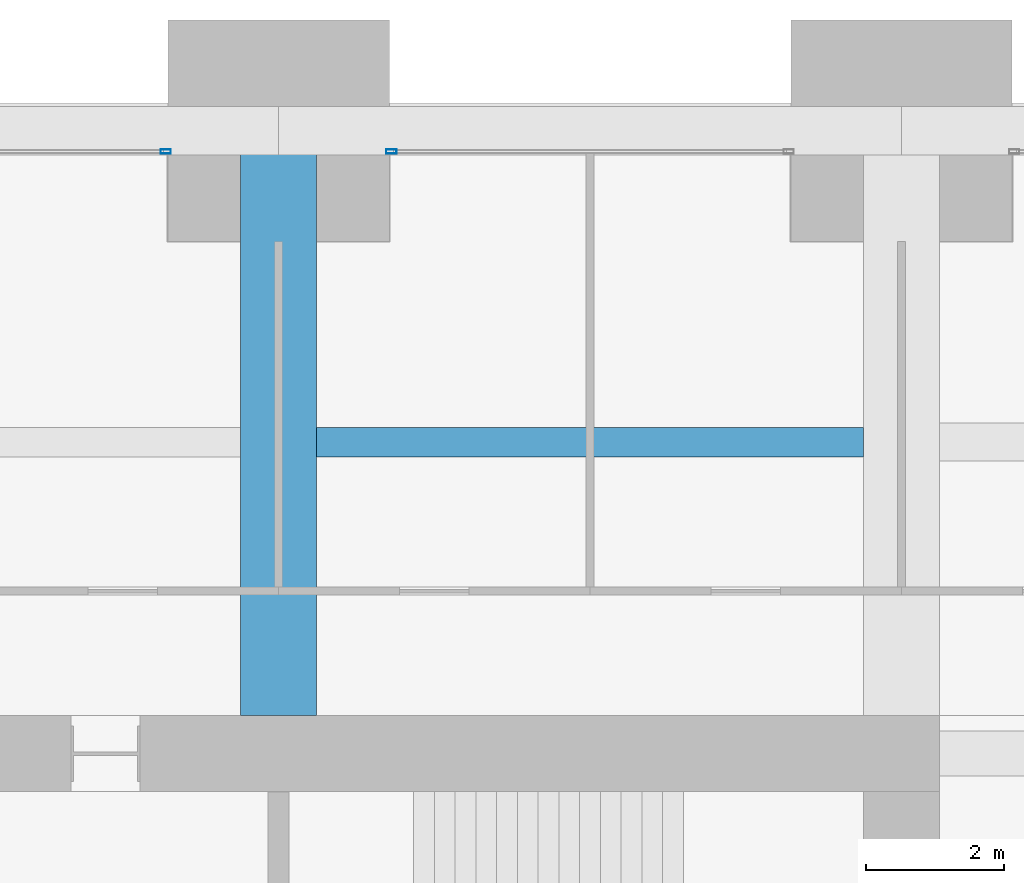
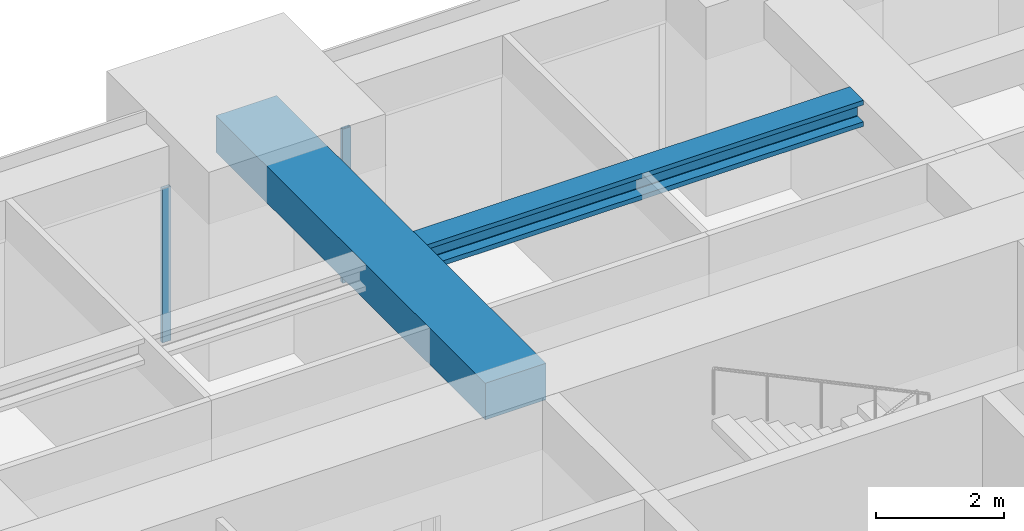
# One storey, part 30 of 41: 2 beams, 2 members, 2 elements without a shape of their own.
"""IFC4 building model written with IfcOpenShell, lengths in metres."""

from ifc_helpers import new_model, si_unit, direction, frame, origin, origin_2d, place, context, subcontext, project, spatial, rectangle, hollow_rectangle, i_section, extrude, material, material_profile, profile_set, type_object, element, aggregate, save


model = new_model("IFC4")

# Units and contexts
model_context = context("Model", 3, precision=1e-05, world=origin(), true_north=direction((0.0, 1.0)))
body_context = subcontext(model_context, "Body", "Model", "MODEL_VIEW")
ifc_project = project(units=[si_unit("LENGTHUNIT", "METRE"), si_unit("AREAUNIT", "SQUARE_METRE"), si_unit("VOLUMEUNIT", "CUBIC_METRE"), si_unit("PLANEANGLEUNIT", "RADIAN"), si_unit("MASSUNIT", "GRAM", prefix="KILO")], contexts=[model_context])

# Site, building, storey
site_placement = place(None, origin())
site = spatial("IfcSite", under=ifc_project, at=site_placement, CompositionType="ELEMENT")
building_placement = place(site_placement, origin())
building = spatial("IfcBuilding", under=site, at=building_placement, Name="Zorevar Civic Tower", CompositionType="ELEMENT")
storey_placement = place(building_placement, frame((0.0, 0.0, 89.0)))
storey = spatial("IfcBuildingStorey", under=building, at=storey_placement, Name="L21", CompositionType="ELEMENT", Elevation=89.0)

# Beam
ifc_material_1 = material(Name="Concrete C50/60", Category="concrete")
ifc_material_profile_1 = material_profile(ifc_material_1, rectangle(XDim=1.10009765625, YDim=0.699951171875, at=origin_2d()), Name="RC 1100x700")
ifc_profile_set_1 = profile_set([ifc_material_profile_1], Name="Concrete C50/60")
beam_type_1 = type_object("IfcBeamType", Name="Beam RC 1100x700", PredefinedType="BEAM", material=ifc_profile_set_1)
beam_1_placement = place(storey_placement, frame((36.0, 36.550048828125, 3.39990234375), z_axis=(0.0, 1.0, 0.0), x_axis=(-1.0, 0.0, 0.0)))
element("IfcBeam", 1, at=beam_1_placement, inside=storey, type_object=beam_type_1, Name="Girder L22", PredefinedType="BEAM", context=body_context, shape_type="SweptSolid", body=[
    extrude(rectangle(XDim=1.10009765625, YDim=0.699951171875, at=origin_2d()), origin(), (0.0, 0.0, 1.0), 8.449951171875),
])

# Curtain wall, member
ifc_material_2 = material(Name="Dark grey solar-control glass in black aluminium frame", Category="aluminium")
curtain_wall_type = type_object("IfcCurtainWallType", Name="Curtain wall CW3 mid zone", PredefinedType="NOTDEFINED", material=ifc_material_2)
curtain_wall_1_placement = place(storey_placement, origin())
curtain_wall_1 = element("IfcCurtainWall", 2, at=curtain_wall_1_placement, inside=storey, type_object=curtain_wall_type, Name="CW3 L21", PredefinedType="NOTDEFINED")
ifc_material_3 = material(Name="Aluminium, black anodised", Category="aluminium")
ifc_material_profile_2 = material_profile(ifc_material_3, hollow_rectangle(XDim=0.06005859375, YDim=0.14990234375, WallThickness=0.00390625, at=origin_2d()), Name="AL 150x60x4")
ifc_profile_set_2 = profile_set([ifc_material_profile_2], Name="Aluminium, black anodised")
member_type = type_object("IfcMemberType", Name="CW3 mullion AL 150x60x4", PredefinedType="MULLION", material=ifc_profile_set_2)
member_1_placement = place(storey_placement, frame((34.3701171875, 44.699951171875, 0.0), z_axis=(0.0, 0.0, 1.0), x_axis=(0.0, 1.0, 0.0)))
member_1 = element("IfcMember", 3, at=member_1_placement, type_object=member_type, Name="CW3 mullion 2", PredefinedType="MULLION", context=body_context, shape_type="SweptSolid", body=[
    extrude(hollow_rectangle(XDim=0.06005859375, YDim=0.14990234375, WallThickness=0.00390625, at=origin_2d()), origin(), (0.0, 0.0, 1.0), 2.949951171875),
])
aggregate(curtain_wall_1, [member_1])

curtain_wall_2_placement = place(storey_placement, origin())
curtain_wall_2 = element("IfcCurtainWall", 4, at=curtain_wall_2_placement, inside=storey, type_object=curtain_wall_type, Name="CW3 L21", PredefinedType="NOTDEFINED")
member_2_placement = place(storey_placement, frame((37.6298828125, 44.699951171875, 0.0), z_axis=(0.0, 0.0, 1.0), x_axis=(0.0, 1.0, 0.0)))
member_2 = element("IfcMember", 5, at=member_2_placement, type_object=member_type, Name="CW3 mullion 1", PredefinedType="MULLION", context=body_context, shape_type="SweptSolid", body=[
    extrude(hollow_rectangle(XDim=0.06005859375, YDim=0.14990234375, WallThickness=0.00390625, at=origin_2d()), origin(), (0.0, 0.0, 1.0), 2.949951171875),
])
aggregate(curtain_wall_2, [member_2])

# Beam
ifc_material_4 = material(Name="Steel S460M (HISTAR 460)", Category="steel")
ifc_material_profile_3 = material_profile(ifc_material_4, i_section(OverallWidth=0.431884765625, OverallDepth=0.498046875, WebThickness=0.0556640625, FlangeThickness=0.0888671875, FilletRadius=0.014892578125, at=origin_2d()), Name="HD 400x744")
ifc_profile_set_3 = profile_set([ifc_material_profile_3], Name="Steel S460M (HISTAR 460)")
beam_type_2 = type_object("IfcBeamType", Name="Core bay beam HD 400x744", PredefinedType="BEAM", material=ifc_profile_set_3)
beam_2_placement = place(storey_placement, frame((36.550048828125, 40.5, 3.5009765625), z_axis=(1.0, 0.0, 0.0), x_axis=(0.0, 1.0, 0.0)))
element("IfcBeam", 6, at=beam_2_placement, inside=storey, type_object=beam_type_2, Name="Secondary beam L22", PredefinedType="BEAM", context=body_context, shape_type="SweptSolid", body=[
    extrude(i_section(OverallWidth=0.431884765625, OverallDepth=0.498046875, WebThickness=0.0556640625, FlangeThickness=0.0888671875, FilletRadius=0.014892578125, at=origin_2d()), origin(), (0.0, 0.0, 1.0), 7.89990234375),
])

save(model, "model.ifc")
